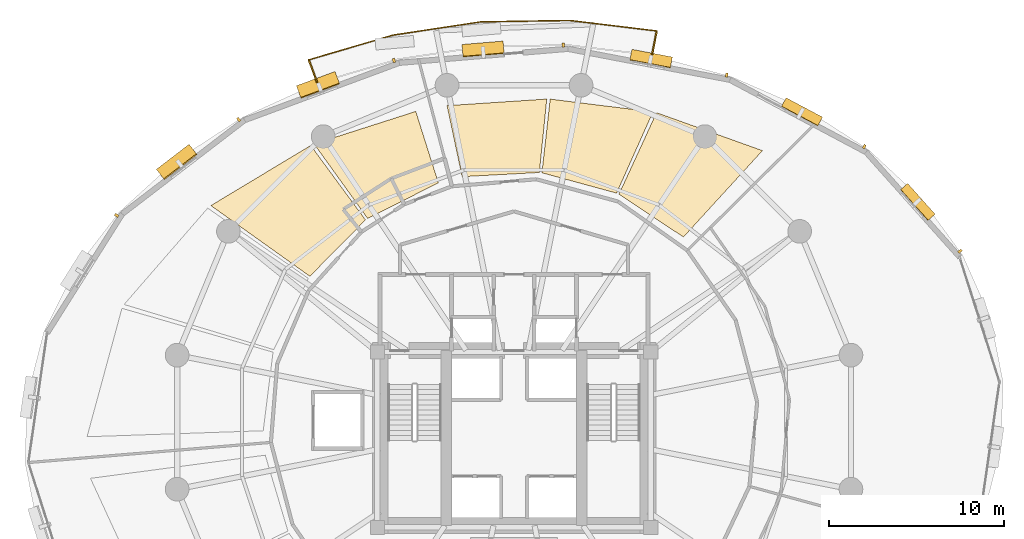
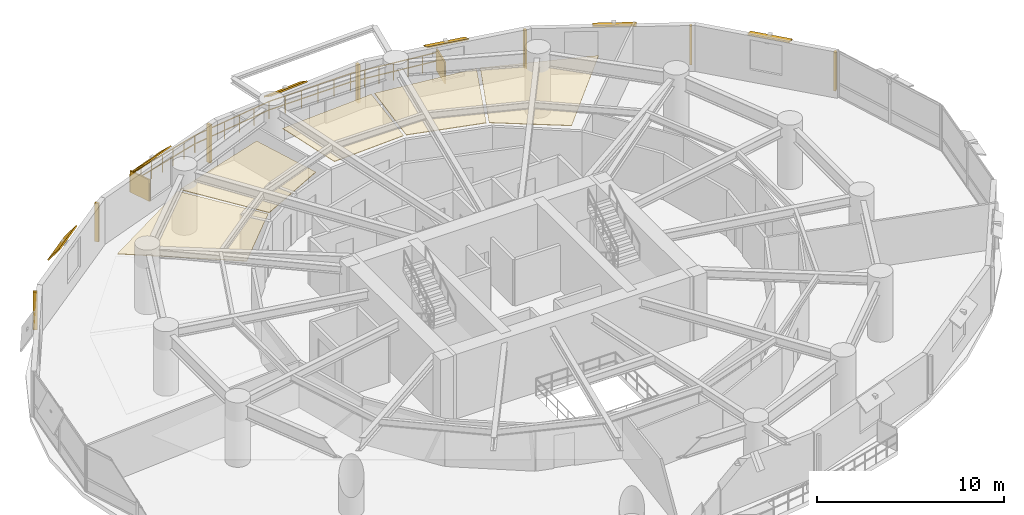
# One storey, part 16 of 16: 15 shading devices, 5 coverings, 1 railing.
"""IFC4 building model written with IfcOpenShell, lengths in metres."""

import ifcopenshell
import ifcopenshell.guid

model = None  # the IFC model being written
_history = None  # IfcOwnerHistory: only IFC2X3 demands one
_inside = {}  # id of a spatial element -> (the spatial element, [elements in it])
_under = {}  # id of a project, library or spatial element -> (it, [spatial elements below it])
_declared = {}  # id of a project -> (the project, [libraries it declares])
_typed = {}  # id of a type object -> (the type object, [elements of that type])
_made_of = {}  # id of a material, layer set ... -> (it, [elements and type objects made of it])


def new_model(schema):
    """Start an empty IFC model of exactly this schema.

    Asked for "IFC4X3", IfcOpenShell would pick the latest addendum, in which some entities
    have other attributes; the version numbers below select the first issue.
    IFC2X3 requires an IfcOwnerHistory on every rooted entity: one is made here for all.
    """
    global model, _history
    if schema == "IFC4X3":
        model = ifcopenshell.file(schema_version=(4, 3, 0, 0))
    else:
        model = ifcopenshell.file(schema=schema)
    _inside.clear()
    _under.clear()
    _declared.clear()
    _typed.clear()
    _made_of.clear()
    _history = None
    if model.schema == "IFC2X3":
        org = make("IfcOrganization", Name="unknown")
        user = make(
            "IfcPersonAndOrganization",
            ThePerson=make("IfcPerson", FamilyName="unknown"),
            TheOrganization=org,
        )
        app = make(
            "IfcApplication",
            ApplicationDeveloper=org,
            Version="unknown",
            ApplicationFullName="unknown",
            ApplicationIdentifier="unknown",
        )
        _history = make(
            "IfcOwnerHistory",
            OwningUser=user,
            OwningApplication=app,
            ChangeAction="ADDED",
            CreationDate=0,
        )
    return model


def make(cls, **values):
    """One entity of the class cls with the attributes given. An attribute that is None is left unset."""
    return model.create_entity(
        cls, **{name: value for name, value in values.items() if value is not None}
    )


def rooted(cls, **values):
    """An entity with a GlobalId (a new one), such as an element, a storey or a relation."""
    return make(cls, GlobalId=ifcopenshell.guid.new(), OwnerHistory=_history, **values)


def si_unit(unit_type, name, prefix=None):
    """IfcSIUnit, for example si_unit("LENGTHUNIT", "METRE", prefix="MILLI")."""
    return make("IfcSIUnit", UnitType=unit_type, Prefix=prefix, Name=name)


def assignment(units):
    """IfcUnitAssignment: the units of a project."""
    return None if units is None else make("IfcUnitAssignment", Units=units)


def point(xyz):
    """IfcCartesianPoint."""
    return None if xyz is None else make("IfcCartesianPoint", Coordinates=xyz)


def direction(xyz):
    """IfcDirection."""
    return None if xyz is None else make("IfcDirection", DirectionRatios=xyz)


def frame(location, z_axis=None, x_axis=None):
    """IfcAxis2Placement3D, a coordinate frame: its origin and axes. An axis left out is left unset."""
    return make(
        "IfcAxis2Placement3D",
        Location=point(location),
        Axis=direction(z_axis),
        RefDirection=direction(x_axis),
    )


def frame_2d(location, x_axis=None):
    """IfcAxis2Placement2D, a coordinate frame in the plane: its origin and x axis."""
    return make(
        "IfcAxis2Placement2D", Location=point(location), RefDirection=direction(x_axis)
    )


def origin():
    """The frame at (0, 0, 0) with its axes left unset."""
    return frame((0.0, 0.0, 0.0))


def origin_2d():
    """The frame at (0, 0) in the plane with its x axis left unset."""
    return frame_2d((0.0, 0.0))


def place(relative_to, where):
    """IfcLocalPlacement: puts the frame where relative to a parent placement (None: the world)."""
    return make(
        "IfcLocalPlacement", PlacementRelTo=relative_to, RelativePlacement=where
    )


def context(
    kind, dimensions, precision=None, world=None, true_north=None, identifier=None
):
    """IfcGeometricRepresentationContext, for example the 3D "Model" context."""
    return make(
        "IfcGeometricRepresentationContext",
        ContextIdentifier=identifier,
        ContextType=kind,
        CoordinateSpaceDimension=dimensions,
        Precision=precision,
        WorldCoordinateSystem=world,
        TrueNorth=true_north,
    )


def subcontext(parent, identifier, kind, view, scale=None):
    """IfcGeometricRepresentationSubContext, for example "Body" below "Model"."""
    return make(
        "IfcGeometricRepresentationSubContext",
        ContextIdentifier=identifier,
        ContextType=kind,
        ParentContext=parent,
        TargetScale=scale,
        TargetView=view,
    )


def project(units=None, contexts=None):
    """IfcProject with its units and contexts."""
    return rooted(
        "IfcProject",
        Name="project",
        RepresentationContexts=contexts,
        UnitsInContext=assignment(units),
    )


def spatial(cls, under=None, at=None, **own):
    """A site, building, storey or space (cls), placed at a placement, below another one or the project."""
    s = rooted(cls, ObjectPlacement=at, **own)
    if under is not None:
        _under.setdefault(under.id(), (under, []))[1].append(s)
    return s


def polyline(points):
    """IfcPolyline through the points."""
    return make("IfcPolyline", Points=[point(p) for p in points])


def profile(cls, at=None, kind="AREA", **sizes):
    """A parametric profile (cls). Its sizes go by their IFC names, for example OverallWidth=200.0."""
    return make(cls, ProfileType=kind, Position=at, **sizes)


def rectangle(**sizes):
    """IfcRectangleProfileDef."""
    return profile("IfcRectangleProfileDef", **sizes)


def outline(outer, holes=None, kind="AREA"):
    """IfcArbitraryClosedProfileDef: a profile drawn as a closed curve; with holes, ...WithVoids."""
    if holes is None:
        return make("IfcArbitraryClosedProfileDef", ProfileType=kind, OuterCurve=outer)
    return make(
        "IfcArbitraryProfileDefWithVoids",
        ProfileType=kind,
        OuterCurve=outer,
        InnerCurves=holes,
    )


def extrude(swept, where, along, depth):
    """IfcExtrudedAreaSolid: the profile swept, set in the frame where, extruded along a direction by depth."""
    return make(
        "IfcExtrudedAreaSolid",
        SweptArea=swept,
        Position=where,
        ExtrudedDirection=direction(along),
        Depth=depth,
    )


def shape(context_of_items, identifier, shape_type, items):
    """IfcShapeRepresentation: the items that make up one representation, for example the "Body"."""
    return make(
        "IfcShapeRepresentation",
        ContextOfItems=context_of_items,
        RepresentationIdentifier=identifier,
        RepresentationType=shape_type,
        Items=items,
    )


def material(Name=None, Category=None):
    """IfcMaterial."""
    return make("IfcMaterial", Name=Name, Category=Category)


def layer(
    of_material, thickness, ventilated=None, Name=None, Category=None, Priority=None
):
    """IfcMaterialLayer: one layer of a wall or slab, of a material (None: an air gap)."""
    return make(
        "IfcMaterialLayer",
        Material=of_material,
        LayerThickness=thickness,
        IsVentilated=ventilated,
        Name=Name,
        Category=Category,
        Priority=Priority,
    )


def layer_set(layers, Name=None):
    """IfcMaterialLayerSet."""
    return make("IfcMaterialLayerSet", MaterialLayers=layers, LayerSetName=Name)


def made_of(thing, what):
    """Note that an element or type object is made of a material, layer set ...; save() writes the relation."""
    if what is not None:
        _made_of.setdefault(what.id(), (what, []))[1].append(thing)
    return thing


def type_object(cls, material=None, **own):
    """A type object (cls), such as IfcWallType, which elements share."""
    return made_of(rooted(cls, **own), material)


def element(
    cls,
    number,
    at=None,
    inside=None,
    cuts=None,
    type_object=None,
    material=None,
    context=None,
    identifier="Body",
    shape_type=None,
    held_by="IfcProductDefinitionShape",
    body=None,
    shapes=None,
    **own,
):
    """One element of the class cls, such as IfcWall. Its Tag is "e" and its number.

    at: its placement. inside: the storey or other place that contains it. cuts: it is an
    opening in that element (IfcRelVoidsElement). A single representation is given by context,
    identifier, shape_type and body (its items); several are given by shapes. held_by: the class
    of the entity that holds the representations. save() writes the other relations.
    """
    e = rooted(cls, Tag="e%d" % number, ObjectPlacement=at, **own)
    if body is not None:
        shapes = [shape(context, identifier, shape_type, body)]
    if shapes is not None:
        e.Representation = make(held_by, Representations=shapes)
    if inside is not None:
        _inside.setdefault(inside.id(), (inside, []))[1].append(e)
    if cuts is not None:
        rooted(
            "IfcRelVoidsElement", RelatingBuildingElement=cuts, RelatedOpeningElement=e
        )
    if type_object is not None:
        _typed.setdefault(type_object.id(), (type_object, []))[1].append(e)
    return made_of(e, material)


def aggregate(whole, parts):
    """IfcRelAggregates: a whole, such as a stair, and the parts it consists of."""
    return rooted("IfcRelAggregates", RelatingObject=whole, RelatedObjects=parts)


def save(model, path):
    """Write the relations noted so far, then the file.

    IfcRelAggregates (storeys below a building ...), IfcRelContainedInSpatialStructure (elements
    in a storey), IfcRelDefinesByType, IfcRelAssociatesMaterial and IfcRelDeclares: one each for
    every whole, place, type object, material and project.
    """
    for whole, parts in _under.values():
        aggregate(whole, parts)
    for where, things in _inside.values():
        rooted(
            "IfcRelContainedInSpatialStructure",
            RelatedElements=things,
            RelatingStructure=where,
        )
    for kind, things in _typed.values():
        rooted("IfcRelDefinesByType", RelatedObjects=things, RelatingType=kind)
    for what, things in _made_of.values():
        rooted("IfcRelAssociatesMaterial", RelatedObjects=things, RelatingMaterial=what)
    for by, libraries in _declared.values():
        rooted("IfcRelDeclares", RelatingContext=by, RelatedDefinitions=libraries)
    model.write(path)


model = new_model("IFC4")

# Units and contexts
model_context = context("Model", 3, precision=1e-05, world=origin(), true_north=direction((0.0, 1.0)))
body_context = subcontext(model_context, "Body", "Model", "MODEL_VIEW")
ifc_project = project(units=[si_unit("LENGTHUNIT", "METRE"), si_unit("AREAUNIT", "SQUARE_METRE"), si_unit("VOLUMEUNIT", "CUBIC_METRE"), si_unit("PLANEANGLEUNIT", "RADIAN"), si_unit("MASSUNIT", "GRAM", prefix="KILO"), si_unit("THERMODYNAMICTEMPERATUREUNIT", "KELVIN"), si_unit("POWERUNIT", "WATT")], contexts=[model_context])

# Site, building, storey
site_placement = place(None, origin())
site = spatial("IfcSite", under=ifc_project, at=site_placement, CompositionType="ELEMENT")
building_placement = place(site_placement, origin())
building = spatial("IfcBuilding", under=site, at=building_placement, Name="Ocrelia Relay Tower", CompositionType="ELEMENT")
storey_placement = place(building_placement, frame((0.0, 0.0, 51.0)))
storey = spatial("IfcBuildingStorey", under=building, at=storey_placement, Name="L11", CompositionType="ELEMENT", Elevation=51.0)

# Coverings
ifc_material_1 = material(Name="Mineral-fiber acoustic ceiling tile", Category="gypsum")
ifc_layer_1 = layer(ifc_material_1, 0.0400390625, Name="Mineral-fiber acoustic ceiling tile")
ifc_layer_set_1 = layer_set([ifc_layer_1], Name="Mineral-fiber acoustic ceiling tile")
covering_type_1 = type_object("IfcCoveringType", Name="COV-CEIL-ACOUSTIC", PredefinedType="CEILING", material=ifc_layer_set_1)
covering_1_placement = place(storey_placement, frame((0.0, 0.0, 2.919921875)))
element("IfcCovering", 1, at=covering_1_placement, inside=storey, type_object=covering_type_1, Name="L11 Carrier Briefing Room Suspended Ceiling 1", PredefinedType="CEILING", context=body_context, shape_type="SweptSolid", body=[
    extrude(outline(polyline([(29.681884765625, 39.653564453125), (28.39208984375, 43.732421875), (22.59228515625, 41.875244140625), (25.643798828125, 37.62890625), (29.681884765625, 39.653564453125)])), origin(), (0.0, 0.0, 1.0), 0.0400390625),
])
covering_2_placement = place(storey_placement, frame((0.0, 0.0, 2.919921875)))
element("IfcCovering", 2, at=covering_2_placement, inside=storey, type_object=covering_type_1, Name="L11 Carrier Briefing Room Suspended Ceiling 2", PredefinedType="CEILING", context=body_context, shape_type="SweptSolid", body=[
    extrude(outline(polyline([(25.5224609375, 37.541015625), (22.400390625, 41.790771484375), (16.703369140625, 38.3603515625), (22.34912109375, 34.32568359375), (25.5224609375, 37.541015625)])), origin(), (0.0, 0.0, 1.0), 0.0400390625),
])
ifc_material_2 = material(Name="Cleanroom metal-pan acoustic ceiling", Category="aluminium")
ifc_layer_2 = layer(ifc_material_2, 0.0400390625, Name="Cleanroom metal-pan acoustic ceiling")
ifc_layer_set_2 = layer_set([ifc_layer_2], Name="Cleanroom metal-pan acoustic ceiling")
covering_type_2 = type_object("IfcCoveringType", Name="COV-CEIL-CLEAN", PredefinedType="CEILING", material=ifc_layer_set_2)
covering_3_placement = place(storey_placement, frame((0.0, 0.0, 2.919921875)))
element("IfcCovering", 3, at=covering_3_placement, inside=storey, type_object=covering_type_2, Name="L11 Optical Calibration Studio Suspended Ceiling 1", PredefinedType="CEILING", context=body_context, shape_type="SweptSolid", body=[
    extrude(outline(polyline([(43.665283203125, 36.566162109375), (48.173095703125, 41.494384765625), (42.129638671875, 43.661376953125), (39.987548828125, 39.008056640625), (43.665283203125, 36.566162109375)])), origin(), (0.0, 0.0, 1.0), 0.0400390625),
])
covering_4_placement = place(storey_placement, frame((0.0, 0.0, 2.919921875)))
element("IfcCovering", 4, at=covering_4_placement, inside=storey, type_object=covering_type_2, Name="L11 Optical Calibration Studio Suspended Ceiling 2", PredefinedType="CEILING", context=body_context, shape_type="SweptSolid", body=[
    extrude(outline(polyline([(39.85107421875, 39.070068359375), (41.92724609375, 43.70751953125), (36.0625, 44.434814453125), (35.592041015625, 40.231201171875), (39.85107421875, 39.070068359375)])), origin(), (0.0, 0.0, 1.0), 0.0400390625),
])
covering_5_placement = place(storey_placement, frame((0.0, 0.0, 2.919921875)))
element("IfcCovering", 5, at=covering_5_placement, inside=storey, type_object=covering_type_2, Name="L11 Optical Calibration Studio Suspended Ceiling 3", PredefinedType="CEILING", context=body_context, shape_type="SweptSolid", body=[
    extrude(outline(polyline([(35.443115234375, 40.2470703125), (35.86767578125, 44.439697265625), (30.17724609375, 44.0625), (31.034912109375, 40.009765625), (35.443115234375, 40.2470703125)])), origin(), (0.0, 0.0, 1.0), 0.0400390625),
])

# Railing
ifc_material_3 = material(Name="Steel S355 balustrade", Category="steel")
railing_type = type_object("IfcRailingType", Name="RL-EXT-GUARD-1150", PredefinedType="GUARDRAIL", material=ifc_material_3)
railing_placement = place(storey_placement, frame((22.772705078125, 45.369140625, 0.0)))
element("IfcRailing", 6, at=railing_placement, inside=storey, type_object=railing_type, Name="L11 Loggia Balcony Guard Rail B1", PredefinedType="GUARDRAIL", context=body_context, shape_type="SweptSolid", body=[
    extrude(rectangle(XDim=0.048095703125, YDim=0.048095703125, at=origin_2d()), frame((0.0, 0.0, 1.1259765625), z_axis=(-0.348683601704, 0.937240495232, 0.0), x_axis=(-0.937240495232, -0.348683601704, 0.0)), (0.0, 0.0, 1.0), 1.393310546875),
    extrude(rectangle(XDim=0.048095703125, YDim=0.048095703125, at=origin_2d()), frame((0.0, 0.0, 0.574951171875), z_axis=(-0.348683601704, 0.937240495232, 0.0), x_axis=(-0.937240495232, -0.348683601704, 0.0)), (0.0, 0.0, 1.0), 1.393310546875),
    extrude(rectangle(XDim=0.048095703125, YDim=0.048095703125, at=origin_2d()), frame((-0.48583984375, 1.305908203125, 1.1259765625), z_axis=(0.9594260059, 0.28196052774, 0.0), x_axis=(-0.28196052774, 0.9594260059, 0.0)), (0.0, 0.0, 1.0), 2.5048828125),
    extrude(rectangle(XDim=0.048095703125, YDim=0.048095703125, at=origin_2d()), frame((-0.48583984375, 1.305908203125, 0.574951171875), z_axis=(0.9594260059, 0.28196052774, 0.0), x_axis=(-0.28196052774, 0.9594260059, 0.0)), (0.0, 0.0, 1.0), 2.5048828125),
    extrude(rectangle(XDim=0.048095703125, YDim=0.048095703125, at=origin_2d()), frame((1.91748046875, 2.01220703125, 1.1259765625), z_axis=(0.9594260059, 0.28196052774, 0.0), x_axis=(-0.28196052774, 0.9594260059, 0.0)), (0.0, 0.0, 1.0), 2.5048828125),
    extrude(rectangle(XDim=0.048095703125, YDim=0.048095703125, at=origin_2d()), frame((1.91748046875, 2.01220703125, 0.574951171875), z_axis=(0.9594260059, 0.28196052774, 0.0), x_axis=(-0.28196052774, 0.9594260059, 0.0)), (0.0, 0.0, 1.0), 2.5048828125),
    extrude(rectangle(XDim=0.048095703125, YDim=0.048095703125, at=origin_2d()), frame((4.32080078125, 2.718505859375, 1.1259765625), z_axis=(0.988773840141, 0.14941985495, 0.0), x_axis=(-0.14941985495, 0.988773840141, 0.0)), (0.0, 0.0, 1.0), 5.065185546875),
    extrude(rectangle(XDim=0.048095703125, YDim=0.048095703125, at=origin_2d()), frame((4.32080078125, 2.718505859375, 0.574951171875), z_axis=(0.988773840141, 0.14941985495, 0.0), x_axis=(-0.14941985495, 0.988773840141, 0.0)), (0.0, 0.0, 1.0), 5.065185546875),
    extrude(rectangle(XDim=0.048095703125, YDim=0.048095703125, at=origin_2d()), frame((9.3291015625, 3.475341796875, 1.1259765625), z_axis=(0.9998742538, 0.015858013377, 0.0), x_axis=(-0.015858013377, 0.9998742538, 0.0)), (0.0, 0.0, 1.0), 5.065185546875),
    extrude(rectangle(XDim=0.048095703125, YDim=0.048095703125, at=origin_2d()), frame((9.3291015625, 3.475341796875, 0.574951171875), z_axis=(0.9998742538, 0.015858013377, 0.0), x_axis=(-0.015858013377, 0.9998742538, 0.0)), (0.0, 0.0, 1.0), 5.065185546875),
    extrude(rectangle(XDim=0.048095703125, YDim=0.048095703125, at=origin_2d()), frame((14.3935546875, 3.5556640625, 1.1259765625), z_axis=(0.992801008866, -0.119775443202, 0.0), x_axis=(0.119775443202, 0.992801008866, 0.0)), (0.0, 0.0, 1.0), 2.505126953125),
    extrude(rectangle(XDim=0.048095703125, YDim=0.048095703125, at=origin_2d()), frame((14.3935546875, 3.5556640625, 0.574951171875), z_axis=(0.992801008866, -0.119775443202, 0.0), x_axis=(0.119775443202, 0.992801008866, 0.0)), (0.0, 0.0, 1.0), 2.505126953125),
    extrude(rectangle(XDim=0.048095703125, YDim=0.048095703125, at=origin_2d()), frame((16.880615234375, 3.255615234375, 1.1259765625), z_axis=(0.992799610521, -0.119787033313, 0.0), x_axis=(0.119787033313, 0.992799610521, 0.0)), (0.0, 0.0, 1.0), 2.5048828125),
    extrude(rectangle(XDim=0.048095703125, YDim=0.048095703125, at=origin_2d()), frame((16.880615234375, 3.255615234375, 0.574951171875), z_axis=(0.992799610521, -0.119787033313, 0.0), x_axis=(0.119787033313, 0.992799610521, 0.0)), (0.0, 0.0, 1.0), 2.5048828125),
    extrude(rectangle(XDim=0.048095703125, YDim=0.048095703125, at=origin_2d()), frame((19.367431640625, 2.95556640625, 1.1259765625), z_axis=(-0.189237311406, -0.981931382517, 0.0), x_axis=(0.981931382517, -0.189237311406, 0.0)), (0.0, 0.0, 1.0), 1.393310546875),
    extrude(rectangle(XDim=0.048095703125, YDim=0.048095703125, at=origin_2d()), frame((19.367431640625, 2.95556640625, 0.574951171875), z_axis=(-0.189237311406, -0.981931382517, 0.0), x_axis=(0.981931382517, -0.189237311406, 0.0)), (0.0, 0.0, 1.0), 1.393310546875),
    extrude(rectangle(XDim=0.0419921875, YDim=0.0419921875, at=origin_2d()), origin(), (0.0, 0.0, 1.0), 1.101806640625),
    extrude(rectangle(XDim=0.0419921875, YDim=0.0419921875, at=origin_2d()), frame((-0.242919921875, 0.65283203125, 0.0)), (0.0, 0.0, 1.0), 1.101806640625),
    extrude(rectangle(XDim=0.0419921875, YDim=0.0419921875, at=origin_2d()), frame((-0.48583984375, 1.305908203125, 0.0)), (0.0, 0.0, 1.0), 1.101806640625),
    extrude(rectangle(XDim=0.0419921875, YDim=0.0419921875, at=origin_2d()), frame((0.315185546875, 1.541259765625, 0.0)), (0.0, 0.0, 1.0), 1.101806640625),
    extrude(rectangle(XDim=0.0419921875, YDim=0.0419921875, at=origin_2d()), frame((1.116455078125, 1.77685546875, 0.0)), (0.0, 0.0, 1.0), 1.101806640625),
    extrude(rectangle(XDim=0.0419921875, YDim=0.0419921875, at=origin_2d()), frame((1.91748046875, 2.01220703125, 0.0)), (0.0, 0.0, 1.0), 1.101806640625),
    extrude(rectangle(XDim=0.0419921875, YDim=0.0419921875, at=origin_2d()), frame((2.718505859375, 2.24755859375, 0.0)), (0.0, 0.0, 1.0), 1.101806640625),
    extrude(rectangle(XDim=0.0419921875, YDim=0.0419921875, at=origin_2d()), frame((3.519775390625, 2.483154296875, 0.0)), (0.0, 0.0, 1.0), 1.101806640625),
    extrude(rectangle(XDim=0.0419921875, YDim=0.0419921875, at=origin_2d()), frame((4.32080078125, 2.718505859375, 0.0)), (0.0, 0.0, 1.0), 1.101806640625),
    extrude(rectangle(XDim=0.0419921875, YDim=0.0419921875, at=origin_2d()), frame((5.322509765625, 2.869873046875, 0.0)), (0.0, 0.0, 1.0), 1.101806640625),
    extrude(rectangle(XDim=0.0419921875, YDim=0.0419921875, at=origin_2d()), frame((6.32421875, 3.021240234375, 0.0)), (0.0, 0.0, 1.0), 1.101806640625),
    extrude(rectangle(XDim=0.0419921875, YDim=0.0419921875, at=origin_2d()), frame((7.32568359375, 3.172607421875, 0.0)), (0.0, 0.0, 1.0), 1.101806640625),
    extrude(rectangle(XDim=0.0419921875, YDim=0.0419921875, at=origin_2d()), frame((8.327392578125, 3.323974609375, 0.0)), (0.0, 0.0, 1.0), 1.101806640625),
    extrude(rectangle(XDim=0.0419921875, YDim=0.0419921875, at=origin_2d()), frame((9.3291015625, 3.475341796875, 0.0)), (0.0, 0.0, 1.0), 1.101806640625),
    extrude(rectangle(XDim=0.0419921875, YDim=0.0419921875, at=origin_2d()), frame((10.342041015625, 3.491455078125, 0.0)), (0.0, 0.0, 1.0), 1.101806640625),
    extrude(rectangle(XDim=0.0419921875, YDim=0.0419921875, at=origin_2d()), frame((11.35498046875, 3.507568359375, 0.0)), (0.0, 0.0, 1.0), 1.101806640625),
    extrude(rectangle(XDim=0.0419921875, YDim=0.0419921875, at=origin_2d()), frame((12.36767578125, 3.5234375, 0.0)), (0.0, 0.0, 1.0), 1.101806640625),
    extrude(rectangle(XDim=0.0419921875, YDim=0.0419921875, at=origin_2d()), frame((13.380615234375, 3.53955078125, 0.0)), (0.0, 0.0, 1.0), 1.101806640625),
    extrude(rectangle(XDim=0.0419921875, YDim=0.0419921875, at=origin_2d()), frame((14.3935546875, 3.5556640625, 0.0)), (0.0, 0.0, 1.0), 1.101806640625),
    extrude(rectangle(XDim=0.0419921875, YDim=0.0419921875, at=origin_2d()), frame((15.22265625, 3.45556640625, 0.0)), (0.0, 0.0, 1.0), 1.101806640625),
    extrude(rectangle(XDim=0.0419921875, YDim=0.0419921875, at=origin_2d()), frame((16.051513671875, 3.355712890625, 0.0)), (0.0, 0.0, 1.0), 1.101806640625),
    extrude(rectangle(XDim=0.0419921875, YDim=0.0419921875, at=origin_2d()), frame((16.880615234375, 3.255615234375, 0.0)), (0.0, 0.0, 1.0), 1.101806640625),
    extrude(rectangle(XDim=0.0419921875, YDim=0.0419921875, at=origin_2d()), frame((17.70947265625, 3.155517578125, 0.0)), (0.0, 0.0, 1.0), 1.101806640625),
    extrude(rectangle(XDim=0.0419921875, YDim=0.0419921875, at=origin_2d()), frame((18.53857421875, 3.0556640625, 0.0)), (0.0, 0.0, 1.0), 1.101806640625),
    extrude(rectangle(XDim=0.0419921875, YDim=0.0419921875, at=origin_2d()), frame((19.367431640625, 2.95556640625, 0.0)), (0.0, 0.0, 1.0), 1.101806640625),
    extrude(rectangle(XDim=0.0419921875, YDim=0.0419921875, at=origin_2d()), frame((19.235595703125, 2.271484375, 0.0)), (0.0, 0.0, 1.0), 1.101806640625),
    extrude(rectangle(XDim=0.0419921875, YDim=0.0419921875, at=origin_2d()), frame((19.103759765625, 1.58740234375, 0.0)), (0.0, 0.0, 1.0), 1.101806640625),
])

# Shading devices
ifc_material_4 = material(Name="Perforated oxide terracotta solar screen", Category="masonry")
ifc_layer_3 = layer(ifc_material_4, 0.090087890625, Name="Perforated oxide terracotta solar screen")
ifc_layer_set_3 = layer_set([ifc_layer_3], Name="Perforated oxide terracotta solar screen")
shading_device_type_1 = type_object("IfcShadingDeviceType", Name="SH-BALC-SCREEN", PredefinedType="USERDEFINED", material=ifc_layer_set_3)
for number, where, z_axis, x_axis, name in (
    (7, (42.00830078125, 47.640625, 0.0), (0.0, 0.0, 1.0), (0.189307836421, 0.981917788346, 0.0), "L11 Balcony Perforated Terracotta Screen B1-1"),
    (8, (22.52978515625, 46.022216796875, 0.0), (0.0, 0.0, 1.0), (-0.348786488162, 0.937202211732, 0.0), "L11 Balcony Perforated Terracotta Screen B1-2"),
):
    element("IfcShadingDevice", number, at=place(storey_placement, frame(where, z_axis=z_axis, x_axis=x_axis)), inside=storey, type_object=shading_device_type_1, Name=name, ObjectType="SCREEN", PredefinedType="USERDEFINED", context=body_context, shape_type="SweptSolid", body=[
        extrude(rectangle(XDim=1.340087890625, YDim=0.090087890625, at=origin_2d()), origin(), (0.0, 0.0, 1.0), 1.39990234375),
    ])
ifc_material_5 = material(Name="Extruded oxide terracotta vertical baguette", Category="masonry")
shading_device_type_2 = type_object("IfcShadingDeviceType", Name="SH-TERR-BAGUETTE", PredefinedType="USERDEFINED", material=ifc_material_5)
for number, where, z_axis, x_axis, name in (
    (9, (59.4423828125, 35.75537109375, 0.25), (0.0, 0.0, 1.0), (-0.665877522085, 0.746061073627, 0.0), "L11 Oxide Terracotta Vertical Baguette 02"),
    (10, (53.985107421875, 41.723388671875, 0.25), (0.0, 0.0, 1.0), (-0.88304900453, 0.469280785457, 0.0), "L11 Oxide Terracotta Vertical Baguette 03"),
    (11, (46.13232421875, 45.804931640625, 0.25), (0.0, 0.0, 1.0), (-0.982182011935, 0.187932156459, 0.0), "L11 Oxide Terracotta Vertical Baguette 04"),
    (12, (36.815673828125, 47.513427734375, 0.25), (0.0, 0.0, 1.0), (-0.996565516315, -0.082808041232, 0.0), "L11 Oxide Terracotta Vertical Baguette 05"),
    (13, (27.147216796875, 46.636962890625, 0.25), (0.0, 0.0, 1.0), (-0.937695984338, -0.347456818838, 0.0), "L11 Oxide Terracotta Vertical Baguette 06"),
    (14, (18.289794921875, 43.268310546875, 0.25), (0.0, 0.0, 1.0), (-0.793488644181, -0.608585056961, 0.0), "L11 Oxide Terracotta Vertical Baguette 07"),
    (15, (11.32080078125, 37.80078125, 0.25), (0.0, 0.0, 1.0), (-0.533601290202, -0.845736166363, 0.0), "L11 Oxide Terracotta Vertical Baguette 08"),
):
    element("IfcShadingDevice", number, at=place(storey_placement, frame(where, z_axis=z_axis, x_axis=x_axis)), inside=storey, type_object=shading_device_type_2, Name=name, ObjectType="BAGUETTE", PredefinedType="USERDEFINED", context=body_context, shape_type="SweptSolid", body=[
        extrude(rectangle(XDim=0.139892578125, YDim=0.239990234375, at=origin_2d()), origin(), (0.0, 0.0, 1.0), 2.5),
    ])
ifc_material_6 = material(Name="Extruded oxide terracotta fin", Category="masonry")
ifc_layer_4 = layer(ifc_material_6, 0.080078125, Name="Extruded oxide terracotta fin")
ifc_layer_set_4 = layer_set([ifc_layer_4], Name="Extruded oxide terracotta fin")
shading_device_type_3 = type_object("IfcShadingDeviceType", Name="SH-VISOR-FIN-MED", PredefinedType="USERDEFINED", material=ifc_layer_set_4)
shading_device_1_placement = place(storey_placement, frame((32.23291015625, 47.26806640625, 2.806884765625), z_axis=(-0.045933555518, 0.552794110205, 0.83205094808), x_axis=(-0.996565516315, -0.082808041232, 0.0)))
element("IfcShadingDevice", 16, at=shading_device_1_placement, inside=storey, type_object=shading_device_type_3, Name="L11 Canted Terracotta Sun-Visor Fin 05", ObjectType="FIN", PredefinedType="USERDEFINED", context=body_context, shape_type="SweptSolid", body=[
    extrude(rectangle(XDim=2.35009765625, YDim=0.81201171875, at=origin_2d()), origin(), (0.0, 0.0, 1.0), 0.080078125),
])
shading_device_2_placement = place(storey_placement, frame((22.826904296875, 45.21923828125, 2.811279296875), z_axis=(-0.242060808375, 0.65325944311, 0.717397145963), x_axis=(-0.937695984338, -0.347456818838, 0.0)))
element("IfcShadingDevice", 17, at=shading_device_2_placement, inside=storey, type_object=shading_device_type_3, Name="L11 Canted Terracotta Sun-Visor Fin 06", ObjectType="FIN", PredefinedType="USERDEFINED", context=body_context, shape_type="SweptSolid", body=[
    extrude(rectangle(XDim=2.35009765625, YDim=0.986083984375, at=origin_2d()), origin(), (0.0, 0.0, 1.0), 0.080078125),
])
shading_device_3_placement = place(storey_placement, frame((14.773193359375, 40.82275390625, 2.81591796875), z_axis=(-0.486229341739, 0.63395815708, 0.6013967761), x_axis=(-0.793488644181, -0.608585056961, 0.0)))
element("IfcShadingDevice", 18, at=shading_device_3_placement, inside=storey, type_object=shading_device_type_3, Name="L11 Canted Terracotta Sun-Visor Fin 07", ObjectType="FIN", PredefinedType="USERDEFINED", context=body_context, shape_type="SweptSolid", body=[
    extrude(rectangle(XDim=2.35009765625, YDim=1.134033203125, at=origin_2d()), origin(), (0.0, 0.0, 1.0), 0.080078125),
])
ifc_layer_5 = layer(ifc_material_6, 0.080078125, Name="Extruded oxide terracotta fin")
ifc_layer_set_5 = layer_set([ifc_layer_5], Name="Extruded oxide terracotta fin")
shading_device_type_4 = type_object("IfcShadingDeviceType", Name="SH-VISOR-FIN-SHAL", PredefinedType="USERDEFINED", material=ifc_layer_set_5)
shading_device_4_placement = place(storey_placement, frame((57.0263671875, 38.5576171875, 2.802001953125), z_axis=(0.231164658638, 0.206320039376, 0.950786485994), x_axis=(-0.665877522085, 0.746061073627, 0.0)))
element("IfcShadingDevice", 19, at=shading_device_4_placement, inside=storey, type_object=shading_device_type_4, Name="L11 Canted Terracotta Sun-Visor Fin 02", ObjectType="FIN", PredefinedType="USERDEFINED", context=body_context, shape_type="SweptSolid", body=[
    extrude(rectangle(XDim=2.35009765625, YDim=0.551025390625, at=origin_2d()), origin(), (0.0, 0.0, 1.0), 0.080078125),
])
shading_device_5_placement = place(storey_placement, frame((50.419921875, 43.6953125, 2.802490234375), z_axis=(0.158731987125, 0.298687113476, 0.941058002733), x_axis=(-0.88304900453, 0.469280785457, 0.0)))
element("IfcShadingDevice", 20, at=shading_device_5_placement, inside=storey, type_object=shading_device_type_4, Name="L11 Canted Terracotta Sun-Visor Fin 03", ObjectType="FIN", PredefinedType="USERDEFINED", context=body_context, shape_type="SweptSolid", body=[
    extrude(rectangle(XDim=2.35009765625, YDim=0.580078125, at=origin_2d()), origin(), (0.0, 0.0, 1.0), 0.080078125),
])
shading_device_6_placement = place(storey_placement, frame((41.818115234375, 46.72607421875, 2.8037109375), z_axis=(0.078947616838, 0.412600645917, 0.907484424541), x_axis=(-0.982182011935, 0.187932156459, 0.0)))
element("IfcShadingDevice", 21, at=shading_device_6_placement, inside=storey, type_object=shading_device_type_4, Name="L11 Canted Terracotta Sun-Visor Fin 04", ObjectType="FIN", PredefinedType="USERDEFINED", context=body_context, shape_type="SweptSolid", body=[
    extrude(rectangle(XDim=2.35009765625, YDim=0.6640625, at=origin_2d()), origin(), (0.0, 0.0, 1.0), 0.080078125),
])

save(model, "model.ifc")
